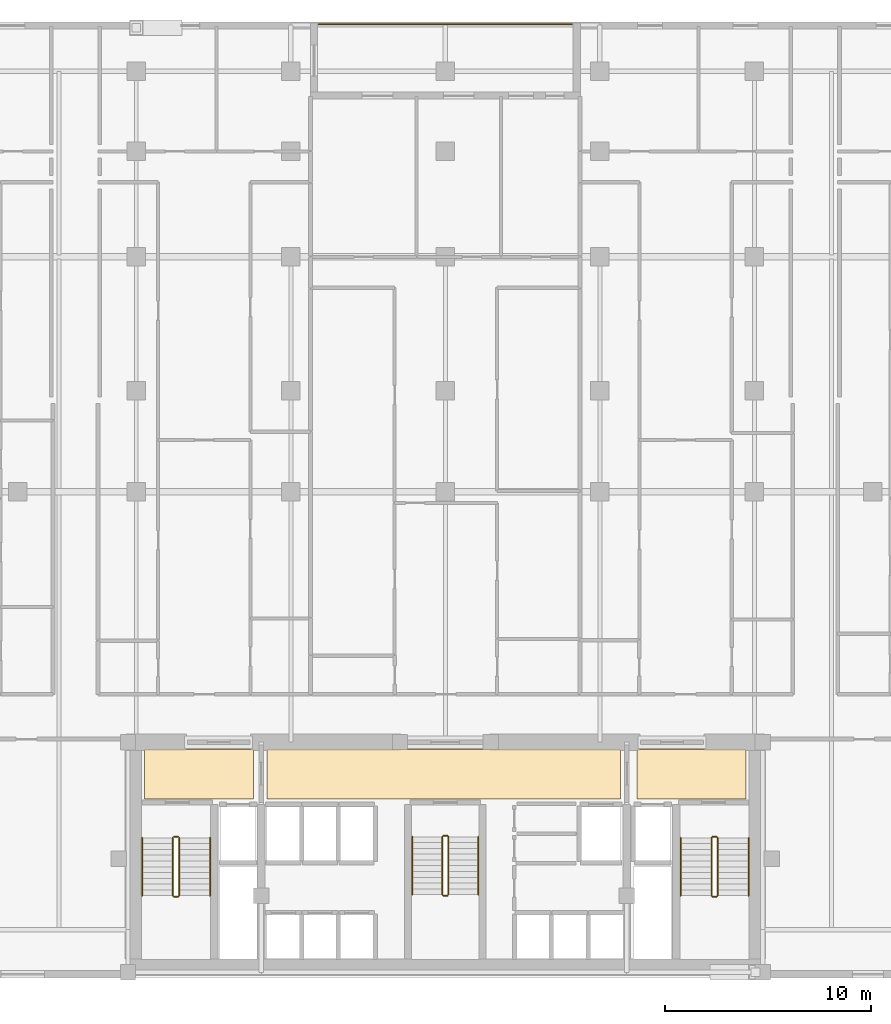
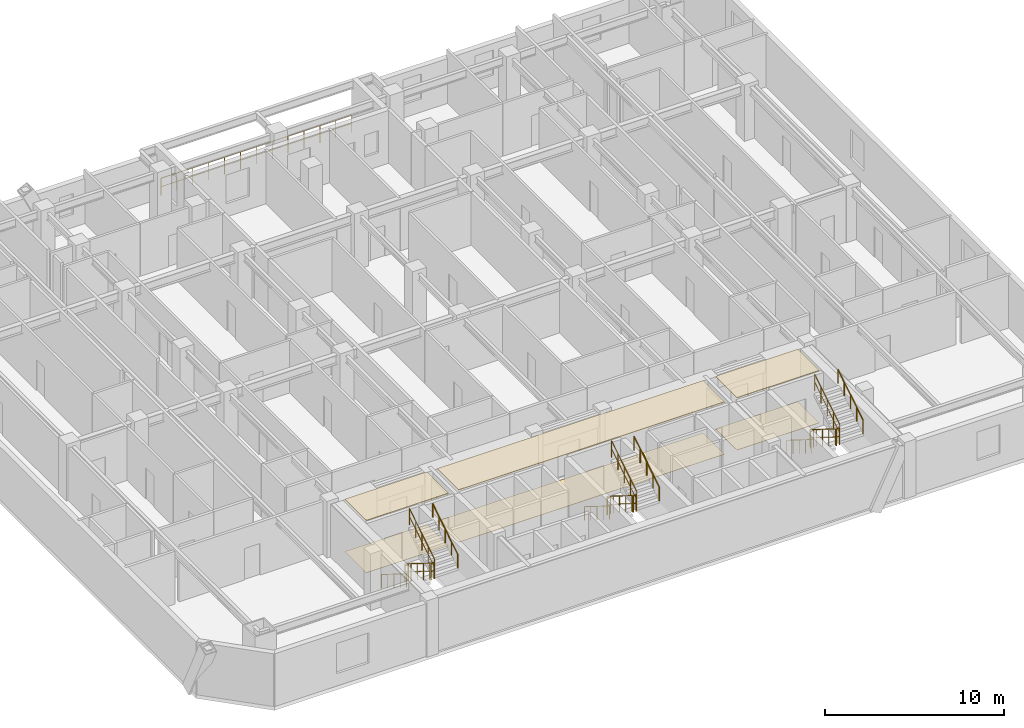
# One storey, part 10 of 10: 19 railings, 6 coverings.
"""IFC4 building model written with IfcOpenShell, lengths in metres."""

from ifc_helpers import new_model, si_unit, direction, frame, origin, origin_2d, place, context, subcontext, project, spatial, polyline, circle, outline, extrude, material, layer, layer_set, type_object, element, save


model = new_model("IFC4")

# Units and contexts
model_context = context("Model", 3, precision=1e-05, world=origin(), true_north=direction((0.0, 1.0)))
body_context = subcontext(model_context, "Body", "Model", "MODEL_VIEW")
ifc_project = project(units=[si_unit("LENGTHUNIT", "METRE"), si_unit("AREAUNIT", "SQUARE_METRE"), si_unit("VOLUMEUNIT", "CUBIC_METRE"), si_unit("PLANEANGLEUNIT", "RADIAN"), si_unit("MASSUNIT", "GRAM", prefix="KILO")], contexts=[model_context])

# Site, building, storey
site_placement = place(None, origin())
site = spatial("IfcSite", under=ifc_project, at=site_placement, CompositionType="ELEMENT")
building_placement = place(site_placement, origin())
building = spatial("IfcBuilding", under=site, at=building_placement, Name="Ventersveld Concourse Tower", CompositionType="ELEMENT")
storey_placement = place(building_placement, frame((0.0, 0.0, 56.75)))
storey = spatial("IfcBuildingStorey", under=building, at=storey_placement, Name="L13", CompositionType="ELEMENT", Elevation=56.75)

# Coverings
ifc_material_1 = material(Name="Mineral-fibre acoustic ceiling tile", Category="gypsum")
ifc_layer_1 = layer(ifc_material_1, 0.0400390625)
ifc_layer_set_1 = layer_set([ifc_layer_1], Name="Mineral-fibre acoustic ceiling tile")
covering_type_1 = type_object("IfcCoveringType", Name="COV-CEIL-ACOUSTIC", PredefinedType="CEILING", material=ifc_layer_set_1)
covering_1_placement = place(storey_placement, frame((0.0, 0.0, 3.56005859375)))
element("IfcCovering", 1, at=covering_1_placement, inside=storey, type_object=covering_type_1, Name="L13 North Lift Lobby Acoustic Ceiling", PredefinedType="CEILING", context=body_context, shape_type="SweptSolid", body=[
    extrude(outline(polyline([(20.10009765625, 8.699951171875), (37.25, 8.699951171875), (37.25, 11.10009765625), (20.10009765625, 11.10009765625), (20.10009765625, 8.699951171875)])), origin(), (0.0, 0.0, 1.0), 0.0400390625),
])
covering_2_placement = place(storey_placement, frame((0.0, 0.0, 3.56005859375)))
element("IfcCovering", 2, at=covering_2_placement, inside=storey, type_object=covering_type_1, Name="L13 West Firefighting Lobby Acoustic Ceiling", PredefinedType="CEILING", context=body_context, shape_type="SweptSolid", body=[
    extrude(outline(polyline([(14.14990234375, 8.699951171875), (19.449951171875, 8.699951171875), (19.449951171875, 11.10009765625), (14.14990234375, 11.10009765625), (14.14990234375, 8.699951171875)])), origin(), (0.0, 0.0, 1.0), 0.0400390625),
])
covering_3_placement = place(storey_placement, frame((0.0, 0.0, 3.56005859375)))
element("IfcCovering", 3, at=covering_3_placement, inside=storey, type_object=covering_type_1, Name="L13 East Firefighting Lobby Acoustic Ceiling", PredefinedType="CEILING", context=body_context, shape_type="SweptSolid", body=[
    extrude(outline(polyline([(38.050048828125, 8.699951171875), (43.35009765625, 8.699951171875), (43.35009765625, 11.10009765625), (38.050048828125, 11.10009765625), (38.050048828125, 8.699951171875)])), origin(), (0.0, 0.0, 1.0), 0.0400390625),
])
ifc_material_2 = material(Name="Polished Highveld granite terrazzo", Category="masonry")
ifc_layer_2 = layer(ifc_material_2, 0.02001953125)
ifc_layer_set_2 = layer_set([ifc_layer_2], Name="Polished Highveld granite terrazzo")
covering_type_2 = type_object("IfcCoveringType", Name="COV-FLOOR-TERRAZZO", PredefinedType="FLOORING", material=ifc_layer_set_2)
covering_4_placement = place(storey_placement, origin())
element("IfcCovering", 4, at=covering_4_placement, inside=storey, type_object=covering_type_2, Name="L13 North Lift Lobby Terrazzo Flooring", PredefinedType="FLOORING", context=body_context, shape_type="SweptSolid", body=[
    extrude(outline(polyline([(20.10009765625, 8.699951171875), (37.25, 8.699951171875), (37.25, 11.10009765625), (20.10009765625, 11.10009765625), (20.10009765625, 8.699951171875)])), origin(), (0.0, 0.0, 1.0), 0.02001953125),
])
covering_5_placement = place(storey_placement, origin())
element("IfcCovering", 5, at=covering_5_placement, inside=storey, type_object=covering_type_2, Name="L13 West Firefighting Lobby Terrazzo Flooring", PredefinedType="FLOORING", context=body_context, shape_type="SweptSolid", body=[
    extrude(outline(polyline([(14.14990234375, 8.699951171875), (19.449951171875, 8.699951171875), (19.449951171875, 11.10009765625), (14.14990234375, 11.10009765625), (14.14990234375, 8.699951171875)])), origin(), (0.0, 0.0, 1.0), 0.02001953125),
])
covering_6_placement = place(storey_placement, origin())
element("IfcCovering", 6, at=covering_6_placement, inside=storey, type_object=covering_type_2, Name="L13 East Firefighting Lobby Terrazzo Flooring", PredefinedType="FLOORING", context=body_context, shape_type="SweptSolid", body=[
    extrude(outline(polyline([(38.050048828125, 8.699951171875), (43.35009765625, 8.699951171875), (43.35009765625, 11.10009765625), (38.050048828125, 11.10009765625), (38.050048828125, 8.699951171875)])), origin(), (0.0, 0.0, 1.0), 0.02001953125),
])

# Railings
ifc_material_3 = material(Name="Brushed stainless steel 316", Category="steel")
railing_type_1 = type_object("IfcRailingType", Name="GD-BAL-115", PredefinedType="GUARDRAIL", material=ifc_material_3)
railing_1_placement = place(storey_placement, frame((15.530029296875, 6.800048828125, 0.175048828125)))
element("IfcRailing", 7, at=railing_1_placement, inside=storey, type_object=railing_type_1, Name="L13 ST-01 stair guard 1", PredefinedType="GUARDRAIL", context=body_context, shape_type="SweptSolid", body=[
    extrude(circle(Radius=0.02392578125, at=origin_2d()), frame((0.0, 0.0, 1.1259765625), z_axis=(0.0, -0.848002457836, 0.529992293815), x_axis=(1.0, 0.0, 0.0)), (0.0, 0.0, 1.0), 3.302001953125),
    extrude(circle(Radius=0.01611328125, at=origin_2d()), frame((0.0, 0.0, 0.574951171875), z_axis=(0.0, -0.848002457836, 0.529992293815), x_axis=(1.0, 0.0, 0.0)), (0.0, 0.0, 1.0), 3.302001953125),
    extrude(circle(Radius=0.02099609375, at=origin_2d()), origin(), (0.0, 0.0, 1.0), 1.101806640625),
    extrude(circle(Radius=0.02099609375, at=origin_2d()), frame((0.0, -0.699951171875, 0.4375)), (0.0, 0.0, 1.0), 1.101806640625),
    extrude(circle(Radius=0.02099609375, at=origin_2d()), frame((0.0, -1.39990234375, 0.875)), (0.0, 0.0, 1.0), 1.101806640625),
    extrude(circle(Radius=0.02099609375, at=origin_2d()), frame((0.0, -2.10009765625, 1.3125)), (0.0, 0.0, 1.0), 1.101806640625),
    extrude(circle(Radius=0.02099609375, at=origin_2d()), frame((0.0, -2.800048828125, 1.75)), (0.0, 0.0, 1.0), 1.101806640625),
])
railing_2_placement = place(storey_placement, frame((15.580078125, 3.949951171875, 1.925048828125)))
element("IfcRailing", 8, at=railing_2_placement, inside=storey, type_object=railing_type_1, Name="L13 ST-01 stair guard 2", PredefinedType="GUARDRAIL", context=body_context, shape_type="SweptSolid", body=[
    extrude(circle(Radius=0.02392578125, at=origin_2d()), frame((0.0, 0.0, 1.1259765625), z_axis=(1.0, 0.0, 0.0), x_axis=(0.0, 1.0, 0.0)), (0.0, 0.0, 1.0), 0.199951171875),
    extrude(circle(Radius=0.01611328125, at=origin_2d()), frame((0.0, 0.0, 0.574951171875), z_axis=(1.0, 0.0, 0.0), x_axis=(0.0, 1.0, 0.0)), (0.0, 0.0, 1.0), 0.199951171875),
    extrude(circle(Radius=0.02099609375, at=origin_2d()), origin(), (0.0, 0.0, 1.0), 1.101806640625),
    extrude(circle(Radius=0.02099609375, at=origin_2d()), frame((0.199951171875, 0.0, 0.0)), (0.0, 0.0, 1.0), 1.101806640625),
])
railing_3_placement = place(storey_placement, frame((15.830078125, 4.0, 2.10009765625)))
element("IfcRailing", 9, at=railing_3_placement, inside=storey, type_object=railing_type_1, Name="L13 ST-01 stair guard 3", PredefinedType="GUARDRAIL", context=body_context, shape_type="SweptSolid", body=[
    extrude(circle(Radius=0.02392578125, at=origin_2d()), frame((0.0, 0.0, 1.1259765625), z_axis=(0.0, 0.848002457836, 0.529992293815), x_axis=(-1.0, 0.0, 0.0)), (0.0, 0.0, 1.0), 3.302001953125),
    extrude(circle(Radius=0.01611328125, at=origin_2d()), frame((0.0, 0.0, 0.574951171875), z_axis=(0.0, 0.848002457836, 0.529992293815), x_axis=(-1.0, 0.0, 0.0)), (0.0, 0.0, 1.0), 3.302001953125),
    extrude(circle(Radius=0.02099609375, at=origin_2d()), origin(), (0.0, 0.0, 1.0), 1.101806640625),
    extrude(circle(Radius=0.02099609375, at=origin_2d()), frame((0.0, 0.699951171875, 0.4375)), (0.0, 0.0, 1.0), 1.101806640625),
    extrude(circle(Radius=0.02099609375, at=origin_2d()), frame((0.0, 1.39990234375, 0.875)), (0.0, 0.0, 1.0), 1.101806640625),
    extrude(circle(Radius=0.02099609375, at=origin_2d()), frame((0.0, 2.10009765625, 1.3125)), (0.0, 0.0, 1.0), 1.101806640625),
    extrude(circle(Radius=0.02099609375, at=origin_2d()), frame((0.0, 2.800048828125, 1.75)), (0.0, 0.0, 1.0), 1.101806640625),
])
railing_4_placement = place(storey_placement, frame((15.580078125, 6.85009765625, 0.0)))
element("IfcRailing", 10, at=railing_4_placement, inside=storey, type_object=railing_type_1, Name="L13 ST-01 stair guard 4", PredefinedType="GUARDRAIL", context=body_context, shape_type="SweptSolid", body=[
    extrude(circle(Radius=0.02392578125, at=origin_2d()), frame((0.0, 0.0, 1.1259765625), z_axis=(1.0, 0.0, 0.0), x_axis=(0.0, 1.0, 0.0)), (0.0, 0.0, 1.0), 0.199951171875),
    extrude(circle(Radius=0.01611328125, at=origin_2d()), frame((0.0, 0.0, 0.574951171875), z_axis=(1.0, 0.0, 0.0), x_axis=(0.0, 1.0, 0.0)), (0.0, 0.0, 1.0), 0.199951171875),
    extrude(circle(Radius=0.02099609375, at=origin_2d()), origin(), (0.0, 0.0, 1.0), 1.101806640625),
    extrude(circle(Radius=0.02099609375, at=origin_2d()), frame((0.199951171875, 0.0, 0.0)), (0.0, 0.0, 1.0), 1.101806640625),
])
railing_5_placement = place(storey_placement, frame((41.669921875, 6.800048828125, 0.175048828125)))
element("IfcRailing", 11, at=railing_5_placement, inside=storey, type_object=railing_type_1, Name="L13 ST-02 stair guard 1", PredefinedType="GUARDRAIL", context=body_context, shape_type="SweptSolid", body=[
    extrude(circle(Radius=0.02392578125, at=origin_2d()), frame((0.0, 0.0, 1.1259765625), z_axis=(0.0, -0.848002457836, 0.529992293815), x_axis=(1.0, 0.0, 0.0)), (0.0, 0.0, 1.0), 3.302001953125),
    extrude(circle(Radius=0.01611328125, at=origin_2d()), frame((0.0, 0.0, 0.574951171875), z_axis=(0.0, -0.848002457836, 0.529992293815), x_axis=(1.0, 0.0, 0.0)), (0.0, 0.0, 1.0), 3.302001953125),
    extrude(circle(Radius=0.02099609375, at=origin_2d()), origin(), (0.0, 0.0, 1.0), 1.101806640625),
    extrude(circle(Radius=0.02099609375, at=origin_2d()), frame((0.0, -0.699951171875, 0.4375)), (0.0, 0.0, 1.0), 1.101806640625),
    extrude(circle(Radius=0.02099609375, at=origin_2d()), frame((0.0, -1.39990234375, 0.875)), (0.0, 0.0, 1.0), 1.101806640625),
    extrude(circle(Radius=0.02099609375, at=origin_2d()), frame((0.0, -2.10009765625, 1.3125)), (0.0, 0.0, 1.0), 1.101806640625),
    extrude(circle(Radius=0.02099609375, at=origin_2d()), frame((0.0, -2.800048828125, 1.75)), (0.0, 0.0, 1.0), 1.101806640625),
])
railing_6_placement = place(storey_placement, frame((41.719970703125, 3.949951171875, 1.925048828125)))
element("IfcRailing", 12, at=railing_6_placement, inside=storey, type_object=railing_type_1, Name="L13 ST-02 stair guard 2", PredefinedType="GUARDRAIL", context=body_context, shape_type="SweptSolid", body=[
    extrude(circle(Radius=0.02392578125, at=origin_2d()), frame((0.0, 0.0, 1.1259765625), z_axis=(1.0, 0.0, 0.0), x_axis=(0.0, 1.0, 0.0)), (0.0, 0.0, 1.0), 0.199951171875),
    extrude(circle(Radius=0.01611328125, at=origin_2d()), frame((0.0, 0.0, 0.574951171875), z_axis=(1.0, 0.0, 0.0), x_axis=(0.0, 1.0, 0.0)), (0.0, 0.0, 1.0), 0.199951171875),
    extrude(circle(Radius=0.02099609375, at=origin_2d()), origin(), (0.0, 0.0, 1.0), 1.101806640625),
    extrude(circle(Radius=0.02099609375, at=origin_2d()), frame((0.199951171875, 0.0, 0.0)), (0.0, 0.0, 1.0), 1.101806640625),
])
railing_7_placement = place(storey_placement, frame((41.969970703125, 4.0, 2.10009765625)))
element("IfcRailing", 13, at=railing_7_placement, inside=storey, type_object=railing_type_1, Name="L13 ST-02 stair guard 3", PredefinedType="GUARDRAIL", context=body_context, shape_type="SweptSolid", body=[
    extrude(circle(Radius=0.02392578125, at=origin_2d()), frame((0.0, 0.0, 1.1259765625), z_axis=(0.0, 0.848002457836, 0.529992293815), x_axis=(-1.0, 0.0, 0.0)), (0.0, 0.0, 1.0), 3.302001953125),
    extrude(circle(Radius=0.01611328125, at=origin_2d()), frame((0.0, 0.0, 0.574951171875), z_axis=(0.0, 0.848002457836, 0.529992293815), x_axis=(-1.0, 0.0, 0.0)), (0.0, 0.0, 1.0), 3.302001953125),
    extrude(circle(Radius=0.02099609375, at=origin_2d()), origin(), (0.0, 0.0, 1.0), 1.101806640625),
    extrude(circle(Radius=0.02099609375, at=origin_2d()), frame((0.0, 0.699951171875, 0.4375)), (0.0, 0.0, 1.0), 1.101806640625),
    extrude(circle(Radius=0.02099609375, at=origin_2d()), frame((0.0, 1.39990234375, 0.875)), (0.0, 0.0, 1.0), 1.101806640625),
    extrude(circle(Radius=0.02099609375, at=origin_2d()), frame((0.0, 2.10009765625, 1.3125)), (0.0, 0.0, 1.0), 1.101806640625),
    extrude(circle(Radius=0.02099609375, at=origin_2d()), frame((0.0, 2.800048828125, 1.75)), (0.0, 0.0, 1.0), 1.101806640625),
])
railing_8_placement = place(storey_placement, frame((41.719970703125, 6.85009765625, 0.0)))
element("IfcRailing", 14, at=railing_8_placement, inside=storey, type_object=railing_type_1, Name="L13 ST-02 stair guard 4", PredefinedType="GUARDRAIL", context=body_context, shape_type="SweptSolid", body=[
    extrude(circle(Radius=0.02392578125, at=origin_2d()), frame((0.0, 0.0, 1.1259765625), z_axis=(1.0, 0.0, 0.0), x_axis=(0.0, 1.0, 0.0)), (0.0, 0.0, 1.0), 0.199951171875),
    extrude(circle(Radius=0.01611328125, at=origin_2d()), frame((0.0, 0.0, 0.574951171875), z_axis=(1.0, 0.0, 0.0), x_axis=(0.0, 1.0, 0.0)), (0.0, 0.0, 1.0), 0.199951171875),
    extrude(circle(Radius=0.02099609375, at=origin_2d()), origin(), (0.0, 0.0, 1.0), 1.101806640625),
    extrude(circle(Radius=0.02099609375, at=origin_2d()), frame((0.199951171875, 0.0, 0.0)), (0.0, 0.0, 1.0), 1.101806640625),
])
railing_9_placement = place(storey_placement, frame((28.60009765625, 6.85009765625, 0.175048828125)))
element("IfcRailing", 15, at=railing_9_placement, inside=storey, type_object=railing_type_1, Name="L13 ST-03 stair guard 1", PredefinedType="GUARDRAIL", context=body_context, shape_type="SweptSolid", body=[
    extrude(circle(Radius=0.02392578125, at=origin_2d()), frame((0.0, 0.0, 1.1259765625), z_axis=(0.0, -0.848002457836, 0.529992293815), x_axis=(1.0, 0.0, 0.0)), (0.0, 0.0, 1.0), 3.302001953125),
    extrude(circle(Radius=0.01611328125, at=origin_2d()), frame((0.0, 0.0, 0.574951171875), z_axis=(0.0, -0.848002457836, 0.529992293815), x_axis=(1.0, 0.0, 0.0)), (0.0, 0.0, 1.0), 3.302001953125),
    extrude(circle(Radius=0.02099609375, at=origin_2d()), origin(), (0.0, 0.0, 1.0), 1.101806640625),
    extrude(circle(Radius=0.02099609375, at=origin_2d()), frame((0.0, -0.699951171875, 0.4375)), (0.0, 0.0, 1.0), 1.101806640625),
    extrude(circle(Radius=0.02099609375, at=origin_2d()), frame((0.0, -1.39990234375, 0.875)), (0.0, 0.0, 1.0), 1.101806640625),
    extrude(circle(Radius=0.02099609375, at=origin_2d()), frame((0.0, -2.10009765625, 1.3125)), (0.0, 0.0, 1.0), 1.101806640625),
    extrude(circle(Radius=0.02099609375, at=origin_2d()), frame((0.0, -2.800048828125, 1.75)), (0.0, 0.0, 1.0), 1.101806640625),
])
railing_10_placement = place(storey_placement, frame((28.64990234375, 4.0, 1.925048828125)))
element("IfcRailing", 16, at=railing_10_placement, inside=storey, type_object=railing_type_1, Name="L13 ST-03 stair guard 2", PredefinedType="GUARDRAIL", context=body_context, shape_type="SweptSolid", body=[
    extrude(circle(Radius=0.02392578125, at=origin_2d()), frame((0.0, 0.0, 1.1259765625), z_axis=(1.0, 0.0, 0.0), x_axis=(0.0, 1.0, 0.0)), (0.0, 0.0, 1.0), 0.2001953125),
    extrude(circle(Radius=0.01611328125, at=origin_2d()), frame((0.0, 0.0, 0.574951171875), z_axis=(1.0, 0.0, 0.0), x_axis=(0.0, 1.0, 0.0)), (0.0, 0.0, 1.0), 0.2001953125),
    extrude(circle(Radius=0.02099609375, at=origin_2d()), origin(), (0.0, 0.0, 1.0), 1.101806640625),
    extrude(circle(Radius=0.02099609375, at=origin_2d()), frame((0.2001953125, 0.0, 0.0)), (0.0, 0.0, 1.0), 1.101806640625),
])
railing_11_placement = place(storey_placement, frame((28.89990234375, 4.050048828125, 2.10009765625)))
element("IfcRailing", 17, at=railing_11_placement, inside=storey, type_object=railing_type_1, Name="L13 ST-03 stair guard 3", PredefinedType="GUARDRAIL", context=body_context, shape_type="SweptSolid", body=[
    extrude(circle(Radius=0.02392578125, at=origin_2d()), frame((0.0, 0.0, 1.1259765625), z_axis=(0.0, 0.848002457836, 0.529992293815), x_axis=(-1.0, 0.0, 0.0)), (0.0, 0.0, 1.0), 3.302001953125),
    extrude(circle(Radius=0.01611328125, at=origin_2d()), frame((0.0, 0.0, 0.574951171875), z_axis=(0.0, 0.848002457836, 0.529992293815), x_axis=(-1.0, 0.0, 0.0)), (0.0, 0.0, 1.0), 3.302001953125),
    extrude(circle(Radius=0.02099609375, at=origin_2d()), origin(), (0.0, 0.0, 1.0), 1.101806640625),
    extrude(circle(Radius=0.02099609375, at=origin_2d()), frame((0.0, 0.699951171875, 0.4375)), (0.0, 0.0, 1.0), 1.101806640625),
    extrude(circle(Radius=0.02099609375, at=origin_2d()), frame((0.0, 1.39990234375, 0.875)), (0.0, 0.0, 1.0), 1.101806640625),
    extrude(circle(Radius=0.02099609375, at=origin_2d()), frame((0.0, 2.10009765625, 1.3125)), (0.0, 0.0, 1.0), 1.101806640625),
    extrude(circle(Radius=0.02099609375, at=origin_2d()), frame((0.0, 2.800048828125, 1.75)), (0.0, 0.0, 1.0), 1.101806640625),
])
railing_12_placement = place(storey_placement, frame((28.64990234375, 6.89990234375, 0.0)))
element("IfcRailing", 18, at=railing_12_placement, inside=storey, type_object=railing_type_1, Name="L13 ST-03 stair guard 4", PredefinedType="GUARDRAIL", context=body_context, shape_type="SweptSolid", body=[
    extrude(circle(Radius=0.02392578125, at=origin_2d()), frame((0.0, 0.0, 1.1259765625), z_axis=(1.0, 0.0, 0.0), x_axis=(0.0, 1.0, 0.0)), (0.0, 0.0, 1.0), 0.2001953125),
    extrude(circle(Radius=0.01611328125, at=origin_2d()), frame((0.0, 0.0, 0.574951171875), z_axis=(1.0, 0.0, 0.0), x_axis=(0.0, 1.0, 0.0)), (0.0, 0.0, 1.0), 0.2001953125),
    extrude(circle(Radius=0.02099609375, at=origin_2d()), origin(), (0.0, 0.0, 1.0), 1.101806640625),
    extrude(circle(Radius=0.02099609375, at=origin_2d()), frame((0.2001953125, 0.0, 0.0)), (0.0, 0.0, 1.0), 1.101806640625),
])
railing_type_2 = type_object("IfcRailingType", Name="GD-TER-120", PredefinedType="GUARDRAIL", material=ifc_material_3)
railing_13_placement = place(storey_placement, frame((22.60009765625, 46.280029296875, 0.0)))
element("IfcRailing", 19, at=railing_13_placement, inside=storey, type_object=railing_type_2, Name="L13 Outdoor Terrace Guardrail NOTCH-N", PredefinedType="GUARDRAIL", context=body_context, shape_type="SweptSolid", body=[
    extrude(circle(Radius=0.02392578125, at=origin_2d()), frame((0.0, 0.0, 1.17578125), z_axis=(1.0, 0.0, 0.0), x_axis=(0.0, 1.0, 0.0)), (0.0, 0.0, 1.0), 12.2998046875),
    extrude(circle(Radius=0.01611328125, at=origin_2d()), frame((0.0, 0.0, 0.60009765625), z_axis=(1.0, 0.0, 0.0), x_axis=(0.0, 1.0, 0.0)), (0.0, 0.0, 1.0), 12.2998046875),
    extrude(circle(Radius=0.02099609375, at=origin_2d()), origin(), (0.0, 0.0, 1.0), 1.15185546875),
    extrude(circle(Radius=0.02099609375, at=origin_2d()), frame((1.02490234375, 0.0, 0.0)), (0.0, 0.0, 1.0), 1.15185546875),
    extrude(circle(Radius=0.02099609375, at=origin_2d()), frame((2.050048828125, 0.0, 0.0)), (0.0, 0.0, 1.0), 1.15185546875),
    extrude(circle(Radius=0.02099609375, at=origin_2d()), frame((3.074951171875, 0.0, 0.0)), (0.0, 0.0, 1.0), 1.15185546875),
    extrude(circle(Radius=0.02099609375, at=origin_2d()), frame((4.099853515625, 0.0, 0.0)), (0.0, 0.0, 1.0), 1.15185546875),
    extrude(circle(Radius=0.02099609375, at=origin_2d()), frame((5.125, 0.0, 0.0)), (0.0, 0.0, 1.0), 1.15185546875),
    extrude(circle(Radius=0.02099609375, at=origin_2d()), frame((6.14990234375, 0.0, 0.0)), (0.0, 0.0, 1.0), 1.15185546875),
    extrude(circle(Radius=0.02099609375, at=origin_2d()), frame((7.1748046875, 0.0, 0.0)), (0.0, 0.0, 1.0), 1.15185546875),
    extrude(circle(Radius=0.02099609375, at=origin_2d()), frame((8.199951171875, 0.0, 0.0)), (0.0, 0.0, 1.0), 1.15185546875),
    extrude(circle(Radius=0.02099609375, at=origin_2d()), frame((9.224853515625, 0.0, 0.0)), (0.0, 0.0, 1.0), 1.15185546875),
    extrude(circle(Radius=0.02099609375, at=origin_2d()), frame((10.249755859375, 0.0, 0.0)), (0.0, 0.0, 1.0), 1.15185546875),
    extrude(circle(Radius=0.02099609375, at=origin_2d()), frame((11.27490234375, 0.0, 0.0)), (0.0, 0.0, 1.0), 1.15185546875),
    extrude(circle(Radius=0.02099609375, at=origin_2d()), frame((12.2998046875, 0.0, 0.0)), (0.0, 0.0, 1.0), 1.15185546875),
])
railing_type_3 = type_object("IfcRailingType", Name="HR-RMP-095", PredefinedType="HANDRAIL", material=ifc_material_3)
railing_14_placement = place(storey_placement, frame((14.030029296875, 6.800048828125, 0.175048828125)))
element("IfcRailing", 20, at=railing_14_placement, inside=storey, type_object=railing_type_3, Name="L13 ST-01 stair handrail 1", PredefinedType="HANDRAIL", context=body_context, shape_type="SweptSolid", body=[
    extrude(circle(Radius=0.02392578125, at=origin_2d()), frame((0.0, 0.0, 0.92578125), z_axis=(0.0, -0.848002457836, 0.529992293815), x_axis=(1.0, 0.0, 0.0)), (0.0, 0.0, 1.0), 3.302001953125),
    extrude(circle(Radius=0.02099609375, at=origin_2d()), origin(), (0.0, 0.0, 1.0), 0.90185546875),
    extrude(circle(Radius=0.02099609375, at=origin_2d()), frame((0.0, -0.699951171875, 0.4375)), (0.0, 0.0, 1.0), 0.90185546875),
    extrude(circle(Radius=0.02099609375, at=origin_2d()), frame((0.0, -1.39990234375, 0.875)), (0.0, 0.0, 1.0), 0.90185546875),
    extrude(circle(Radius=0.02099609375, at=origin_2d()), frame((0.0, -2.10009765625, 1.3125)), (0.0, 0.0, 1.0), 0.90185546875),
    extrude(circle(Radius=0.02099609375, at=origin_2d()), frame((0.0, -2.800048828125, 1.75)), (0.0, 0.0, 1.0), 0.90185546875),
])
railing_15_placement = place(storey_placement, frame((17.330078125, 4.0, 2.10009765625)))
element("IfcRailing", 21, at=railing_15_placement, inside=storey, type_object=railing_type_3, Name="L13 ST-01 stair handrail 2", PredefinedType="HANDRAIL", context=body_context, shape_type="SweptSolid", body=[
    extrude(circle(Radius=0.02392578125, at=origin_2d()), frame((0.0, 0.0, 0.92578125), z_axis=(0.0, 0.848002457836, 0.529992293815), x_axis=(-1.0, 0.0, 0.0)), (0.0, 0.0, 1.0), 3.302001953125),
    extrude(circle(Radius=0.02099609375, at=origin_2d()), origin(), (0.0, 0.0, 1.0), 0.90185546875),
    extrude(circle(Radius=0.02099609375, at=origin_2d()), frame((0.0, 0.699951171875, 0.4375)), (0.0, 0.0, 1.0), 0.90185546875),
    extrude(circle(Radius=0.02099609375, at=origin_2d()), frame((0.0, 1.39990234375, 0.875)), (0.0, 0.0, 1.0), 0.90185546875),
    extrude(circle(Radius=0.02099609375, at=origin_2d()), frame((0.0, 2.10009765625, 1.3125)), (0.0, 0.0, 1.0), 0.90185546875),
    extrude(circle(Radius=0.02099609375, at=origin_2d()), frame((0.0, 2.800048828125, 1.75)), (0.0, 0.0, 1.0), 0.90185546875),
])
railing_16_placement = place(storey_placement, frame((40.169921875, 6.800048828125, 0.175048828125)))
element("IfcRailing", 22, at=railing_16_placement, inside=storey, type_object=railing_type_3, Name="L13 ST-02 stair handrail 1", PredefinedType="HANDRAIL", context=body_context, shape_type="SweptSolid", body=[
    extrude(circle(Radius=0.02392578125, at=origin_2d()), frame((0.0, 0.0, 0.92578125), z_axis=(0.0, -0.848002457836, 0.529992293815), x_axis=(1.0, 0.0, 0.0)), (0.0, 0.0, 1.0), 3.302001953125),
    extrude(circle(Radius=0.02099609375, at=origin_2d()), origin(), (0.0, 0.0, 1.0), 0.90185546875),
    extrude(circle(Radius=0.02099609375, at=origin_2d()), frame((0.0, -0.699951171875, 0.4375)), (0.0, 0.0, 1.0), 0.90185546875),
    extrude(circle(Radius=0.02099609375, at=origin_2d()), frame((0.0, -1.39990234375, 0.875)), (0.0, 0.0, 1.0), 0.90185546875),
    extrude(circle(Radius=0.02099609375, at=origin_2d()), frame((0.0, -2.10009765625, 1.3125)), (0.0, 0.0, 1.0), 0.90185546875),
    extrude(circle(Radius=0.02099609375, at=origin_2d()), frame((0.0, -2.800048828125, 1.75)), (0.0, 0.0, 1.0), 0.90185546875),
])
railing_17_placement = place(storey_placement, frame((43.469970703125, 4.0, 2.10009765625)))
element("IfcRailing", 23, at=railing_17_placement, inside=storey, type_object=railing_type_3, Name="L13 ST-02 stair handrail 2", PredefinedType="HANDRAIL", context=body_context, shape_type="SweptSolid", body=[
    extrude(circle(Radius=0.02392578125, at=origin_2d()), frame((0.0, 0.0, 0.92578125), z_axis=(0.0, 0.848002457836, 0.529992293815), x_axis=(-1.0, 0.0, 0.0)), (0.0, 0.0, 1.0), 3.302001953125),
    extrude(circle(Radius=0.02099609375, at=origin_2d()), origin(), (0.0, 0.0, 1.0), 0.90185546875),
    extrude(circle(Radius=0.02099609375, at=origin_2d()), frame((0.0, 0.699951171875, 0.4375)), (0.0, 0.0, 1.0), 0.90185546875),
    extrude(circle(Radius=0.02099609375, at=origin_2d()), frame((0.0, 1.39990234375, 0.875)), (0.0, 0.0, 1.0), 0.90185546875),
    extrude(circle(Radius=0.02099609375, at=origin_2d()), frame((0.0, 2.10009765625, 1.3125)), (0.0, 0.0, 1.0), 0.90185546875),
    extrude(circle(Radius=0.02099609375, at=origin_2d()), frame((0.0, 2.800048828125, 1.75)), (0.0, 0.0, 1.0), 0.90185546875),
])
railing_18_placement = place(storey_placement, frame((27.14990234375, 6.85009765625, 0.175048828125)))
element("IfcRailing", 24, at=railing_18_placement, inside=storey, type_object=railing_type_3, Name="L13 ST-03 stair handrail 1", PredefinedType="HANDRAIL", context=body_context, shape_type="SweptSolid", body=[
    extrude(circle(Radius=0.02392578125, at=origin_2d()), frame((0.0, 0.0, 0.92578125), z_axis=(0.0, -0.848002457836, 0.529992293815), x_axis=(1.0, 0.0, 0.0)), (0.0, 0.0, 1.0), 3.302001953125),
    extrude(circle(Radius=0.02099609375, at=origin_2d()), origin(), (0.0, 0.0, 1.0), 0.90185546875),
    extrude(circle(Radius=0.02099609375, at=origin_2d()), frame((0.0, -0.699951171875, 0.4375)), (0.0, 0.0, 1.0), 0.90185546875),
    extrude(circle(Radius=0.02099609375, at=origin_2d()), frame((0.0, -1.39990234375, 0.875)), (0.0, 0.0, 1.0), 0.90185546875),
    extrude(circle(Radius=0.02099609375, at=origin_2d()), frame((0.0, -2.10009765625, 1.3125)), (0.0, 0.0, 1.0), 0.90185546875),
    extrude(circle(Radius=0.02099609375, at=origin_2d()), frame((0.0, -2.800048828125, 1.75)), (0.0, 0.0, 1.0), 0.90185546875),
])
railing_19_placement = place(storey_placement, frame((30.35009765625, 4.050048828125, 2.10009765625)))
element("IfcRailing", 25, at=railing_19_placement, inside=storey, type_object=railing_type_3, Name="L13 ST-03 stair handrail 2", PredefinedType="HANDRAIL", context=body_context, shape_type="SweptSolid", body=[
    extrude(circle(Radius=0.02392578125, at=origin_2d()), frame((0.0, 0.0, 0.92578125), z_axis=(0.0, 0.848002457836, 0.529992293815), x_axis=(-1.0, 0.0, 0.0)), (0.0, 0.0, 1.0), 3.302001953125),
    extrude(circle(Radius=0.02099609375, at=origin_2d()), origin(), (0.0, 0.0, 1.0), 0.90185546875),
    extrude(circle(Radius=0.02099609375, at=origin_2d()), frame((0.0, 0.699951171875, 0.4375)), (0.0, 0.0, 1.0), 0.90185546875),
    extrude(circle(Radius=0.02099609375, at=origin_2d()), frame((0.0, 1.39990234375, 0.875)), (0.0, 0.0, 1.0), 0.90185546875),
    extrude(circle(Radius=0.02099609375, at=origin_2d()), frame((0.0, 2.10009765625, 1.3125)), (0.0, 0.0, 1.0), 0.90185546875),
    extrude(circle(Radius=0.02099609375, at=origin_2d()), frame((0.0, 2.800048828125, 1.75)), (0.0, 0.0, 1.0), 0.90185546875),
])

save(model, "model.ifc")
